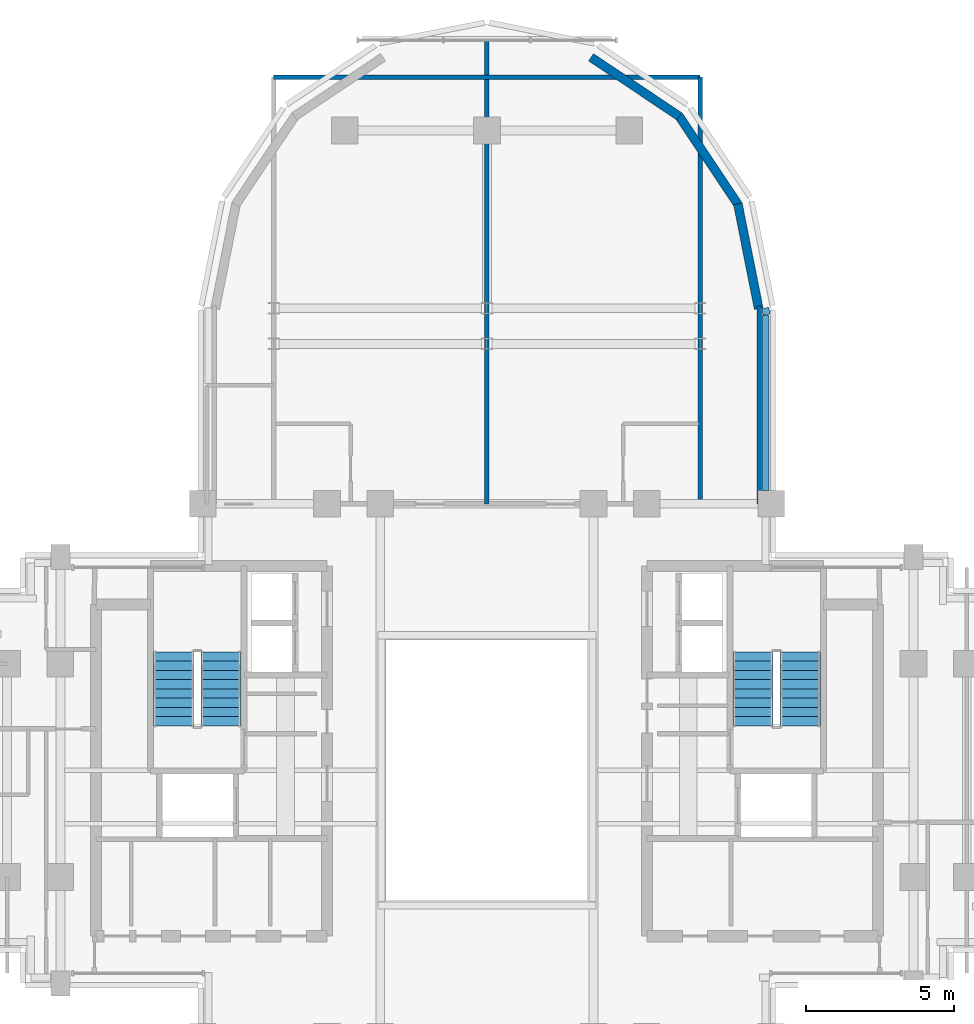
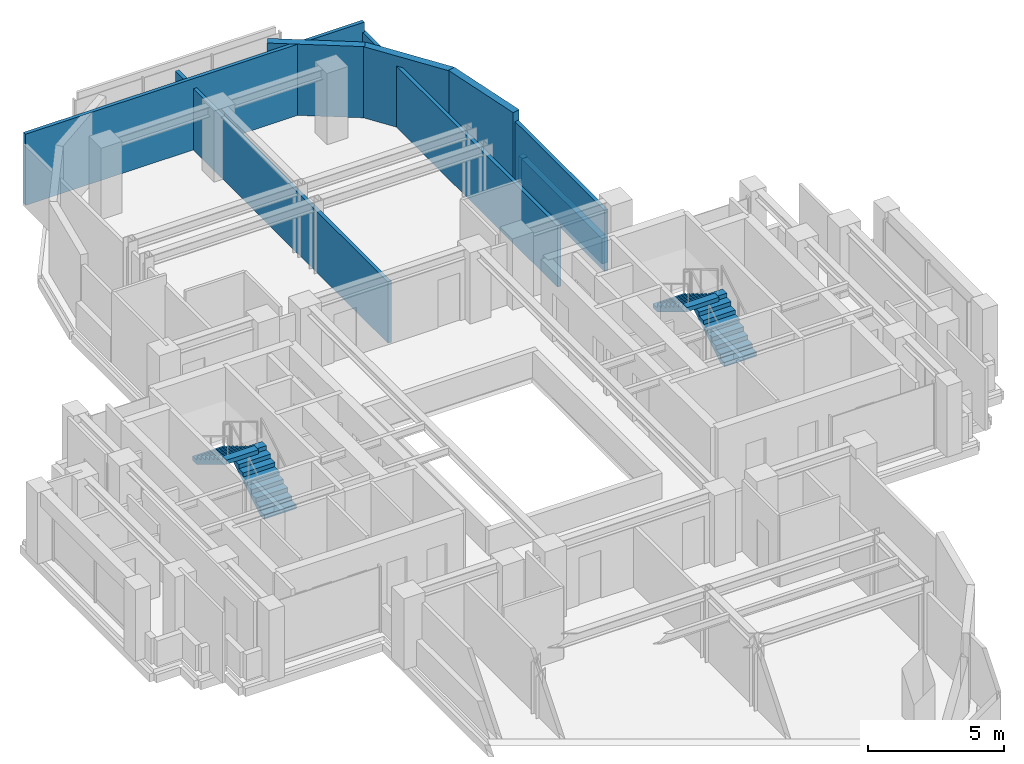
# One storey, part 9 of 12: 9 walls, 4 stair flights, 2 elements without a shape of their own.
"""IFC4 building model written with IfcOpenShell, lengths in metres."""

import ifcopenshell
import ifcopenshell.guid

model = None  # the IFC model being written
_history = None  # IfcOwnerHistory: only IFC2X3 demands one
_inside = {}  # id of a spatial element -> (the spatial element, [elements in it])
_under = {}  # id of a project, library or spatial element -> (it, [spatial elements below it])
_declared = {}  # id of a project -> (the project, [libraries it declares])
_typed = {}  # id of a type object -> (the type object, [elements of that type])
_made_of = {}  # id of a material, layer set ... -> (it, [elements and type objects made of it])


def new_model(schema):
    """Start an empty IFC model of exactly this schema.

    Asked for "IFC4X3", IfcOpenShell would pick the latest addendum, in which some entities
    have other attributes; the version numbers below select the first issue.
    IFC2X3 requires an IfcOwnerHistory on every rooted entity: one is made here for all.
    """
    global model, _history
    if schema == "IFC4X3":
        model = ifcopenshell.file(schema_version=(4, 3, 0, 0))
    else:
        model = ifcopenshell.file(schema=schema)
    _inside.clear()
    _under.clear()
    _declared.clear()
    _typed.clear()
    _made_of.clear()
    _history = None
    if model.schema == "IFC2X3":
        org = make("IfcOrganization", Name="unknown")
        user = make(
            "IfcPersonAndOrganization",
            ThePerson=make("IfcPerson", FamilyName="unknown"),
            TheOrganization=org,
        )
        app = make(
            "IfcApplication",
            ApplicationDeveloper=org,
            Version="unknown",
            ApplicationFullName="unknown",
            ApplicationIdentifier="unknown",
        )
        _history = make(
            "IfcOwnerHistory",
            OwningUser=user,
            OwningApplication=app,
            ChangeAction="ADDED",
            CreationDate=0,
        )
    return model


def make(cls, **values):
    """One entity of the class cls with the attributes given. An attribute that is None is left unset."""
    return model.create_entity(
        cls, **{name: value for name, value in values.items() if value is not None}
    )


def rooted(cls, **values):
    """An entity with a GlobalId (a new one), such as an element, a storey or a relation."""
    return make(cls, GlobalId=ifcopenshell.guid.new(), OwnerHistory=_history, **values)


def si_unit(unit_type, name, prefix=None):
    """IfcSIUnit, for example si_unit("LENGTHUNIT", "METRE", prefix="MILLI")."""
    return make("IfcSIUnit", UnitType=unit_type, Prefix=prefix, Name=name)


def assignment(units):
    """IfcUnitAssignment: the units of a project."""
    return None if units is None else make("IfcUnitAssignment", Units=units)


def point(xyz):
    """IfcCartesianPoint."""
    return None if xyz is None else make("IfcCartesianPoint", Coordinates=xyz)


def direction(xyz):
    """IfcDirection."""
    return None if xyz is None else make("IfcDirection", DirectionRatios=xyz)


def frame(location, z_axis=None, x_axis=None):
    """IfcAxis2Placement3D, a coordinate frame: its origin and axes. An axis left out is left unset."""
    return make(
        "IfcAxis2Placement3D",
        Location=point(location),
        Axis=direction(z_axis),
        RefDirection=direction(x_axis),
    )


def frame_2d(location, x_axis=None):
    """IfcAxis2Placement2D, a coordinate frame in the plane: its origin and x axis."""
    return make(
        "IfcAxis2Placement2D", Location=point(location), RefDirection=direction(x_axis)
    )


def origin():
    """The frame at (0, 0, 0) with its axes left unset."""
    return frame((0.0, 0.0, 0.0))


def place(relative_to, where):
    """IfcLocalPlacement: puts the frame where relative to a parent placement (None: the world)."""
    return make(
        "IfcLocalPlacement", PlacementRelTo=relative_to, RelativePlacement=where
    )


def context(
    kind, dimensions, precision=None, world=None, true_north=None, identifier=None
):
    """IfcGeometricRepresentationContext, for example the 3D "Model" context."""
    return make(
        "IfcGeometricRepresentationContext",
        ContextIdentifier=identifier,
        ContextType=kind,
        CoordinateSpaceDimension=dimensions,
        Precision=precision,
        WorldCoordinateSystem=world,
        TrueNorth=true_north,
    )


def subcontext(parent, identifier, kind, view, scale=None):
    """IfcGeometricRepresentationSubContext, for example "Body" below "Model"."""
    return make(
        "IfcGeometricRepresentationSubContext",
        ContextIdentifier=identifier,
        ContextType=kind,
        ParentContext=parent,
        TargetScale=scale,
        TargetView=view,
    )


def project(units=None, contexts=None):
    """IfcProject with its units and contexts."""
    return rooted(
        "IfcProject",
        Name="project",
        RepresentationContexts=contexts,
        UnitsInContext=assignment(units),
    )


def spatial(cls, under=None, at=None, **own):
    """A site, building, storey or space (cls), placed at a placement, below another one or the project."""
    s = rooted(cls, ObjectPlacement=at, **own)
    if under is not None:
        _under.setdefault(under.id(), (under, []))[1].append(s)
    return s


def polyline(points):
    """IfcPolyline through the points."""
    return make("IfcPolyline", Points=[point(p) for p in points])


def profile(cls, at=None, kind="AREA", **sizes):
    """A parametric profile (cls). Its sizes go by their IFC names, for example OverallWidth=200.0."""
    return make(cls, ProfileType=kind, Position=at, **sizes)


def rectangle(**sizes):
    """IfcRectangleProfileDef."""
    return profile("IfcRectangleProfileDef", **sizes)


def outline(outer, holes=None, kind="AREA"):
    """IfcArbitraryClosedProfileDef: a profile drawn as a closed curve; with holes, ...WithVoids."""
    if holes is None:
        return make("IfcArbitraryClosedProfileDef", ProfileType=kind, OuterCurve=outer)
    return make(
        "IfcArbitraryProfileDefWithVoids",
        ProfileType=kind,
        OuterCurve=outer,
        InnerCurves=holes,
    )


def extrude(swept, where, along, depth):
    """IfcExtrudedAreaSolid: the profile swept, set in the frame where, extruded along a direction by depth."""
    return make(
        "IfcExtrudedAreaSolid",
        SweptArea=swept,
        Position=where,
        ExtrudedDirection=direction(along),
        Depth=depth,
    )


def shape(context_of_items, identifier, shape_type, items):
    """IfcShapeRepresentation: the items that make up one representation, for example the "Body"."""
    return make(
        "IfcShapeRepresentation",
        ContextOfItems=context_of_items,
        RepresentationIdentifier=identifier,
        RepresentationType=shape_type,
        Items=items,
    )


def material(Name=None, Category=None):
    """IfcMaterial."""
    return make("IfcMaterial", Name=Name, Category=Category)


def layer(
    of_material, thickness, ventilated=None, Name=None, Category=None, Priority=None
):
    """IfcMaterialLayer: one layer of a wall or slab, of a material (None: an air gap)."""
    return make(
        "IfcMaterialLayer",
        Material=of_material,
        LayerThickness=thickness,
        IsVentilated=ventilated,
        Name=Name,
        Category=Category,
        Priority=Priority,
    )


def layer_set(layers, Name=None):
    """IfcMaterialLayerSet."""
    return make("IfcMaterialLayerSet", MaterialLayers=layers, LayerSetName=Name)


def made_of(thing, what):
    """Note that an element or type object is made of a material, layer set ...; save() writes the relation."""
    if what is not None:
        _made_of.setdefault(what.id(), (what, []))[1].append(thing)
    return thing


def type_object(cls, material=None, **own):
    """A type object (cls), such as IfcWallType, which elements share."""
    return made_of(rooted(cls, **own), material)


def element(
    cls,
    number,
    at=None,
    inside=None,
    cuts=None,
    type_object=None,
    material=None,
    context=None,
    identifier="Body",
    shape_type=None,
    held_by="IfcProductDefinitionShape",
    body=None,
    shapes=None,
    **own,
):
    """One element of the class cls, such as IfcWall. Its Tag is "e" and its number.

    at: its placement. inside: the storey or other place that contains it. cuts: it is an
    opening in that element (IfcRelVoidsElement). A single representation is given by context,
    identifier, shape_type and body (its items); several are given by shapes. held_by: the class
    of the entity that holds the representations. save() writes the other relations.
    """
    e = rooted(cls, Tag="e%d" % number, ObjectPlacement=at, **own)
    if body is not None:
        shapes = [shape(context, identifier, shape_type, body)]
    if shapes is not None:
        e.Representation = make(held_by, Representations=shapes)
    if inside is not None:
        _inside.setdefault(inside.id(), (inside, []))[1].append(e)
    if cuts is not None:
        rooted(
            "IfcRelVoidsElement", RelatingBuildingElement=cuts, RelatedOpeningElement=e
        )
    if type_object is not None:
        _typed.setdefault(type_object.id(), (type_object, []))[1].append(e)
    return made_of(e, material)


def aggregate(whole, parts):
    """IfcRelAggregates: a whole, such as a stair, and the parts it consists of."""
    return rooted("IfcRelAggregates", RelatingObject=whole, RelatedObjects=parts)


def save(model, path):
    """Write the relations noted so far, then the file.

    IfcRelAggregates (storeys below a building ...), IfcRelContainedInSpatialStructure (elements
    in a storey), IfcRelDefinesByType, IfcRelAssociatesMaterial and IfcRelDeclares: one each for
    every whole, place, type object, material and project.
    """
    for whole, parts in _under.values():
        aggregate(whole, parts)
    for where, things in _inside.values():
        rooted(
            "IfcRelContainedInSpatialStructure",
            RelatedElements=things,
            RelatingStructure=where,
        )
    for kind, things in _typed.values():
        rooted("IfcRelDefinesByType", RelatedObjects=things, RelatingType=kind)
    for what, things in _made_of.values():
        rooted("IfcRelAssociatesMaterial", RelatedObjects=things, RelatingMaterial=what)
    for by, libraries in _declared.values():
        rooted("IfcRelDeclares", RelatingContext=by, RelatedDefinitions=libraries)
    model.write(path)


model = new_model("IFC4")

# Units and contexts
model_context = context("Model", 3, precision=1e-05, world=origin(), true_north=direction((0.0, 1.0)))
body_context = subcontext(model_context, "Body", "Model", "MODEL_VIEW")
ifc_project = project(units=[si_unit("LENGTHUNIT", "METRE"), si_unit("AREAUNIT", "SQUARE_METRE"), si_unit("VOLUMEUNIT", "CUBIC_METRE"), si_unit("PLANEANGLEUNIT", "RADIAN"), si_unit("MASSUNIT", "GRAM", prefix="KILO")], contexts=[model_context])

# Site, building, storey
site_placement = place(None, origin())
site = spatial("IfcSite", under=ifc_project, at=site_placement, CompositionType="ELEMENT")
building_placement = place(site_placement, origin())
building = spatial("IfcBuilding", under=site, at=building_placement, Name="Keilestroom Media Tower", CompositionType="ELEMENT")
storey_placement = place(building_placement, frame((0.0, 0.0, 187.60009765625)))
storey = spatial("IfcBuildingStorey", under=building, at=storey_placement, Name="L51", CompositionType="ELEMENT", Elevation=187.60009765625)

# Walls
ifc_material_1 = material(Name="Precast concrete C40/50", Category="concrete")
ifc_layer_1 = layer(ifc_material_1, 0.300048828125)
ifc_layer_set_1 = layer_set([ifc_layer_1], Name="Precast concrete C40/50")
wall_type_1 = type_object("IfcWallType", Name="Exterior-Masonry-Spandrel-Wall-300", PredefinedType="SOLIDWALL", material=ifc_layer_set_1)
for number, where, z_axis, x_axis, name in (
    (1, (9.1748046875, 15.585205078125, 0.0), (0.0, 0.0, 1.0), (-0.195114232679, 0.980780523974, 0.0), "L51 Lobe Facet Precast Frame Wall 01"),
    (2, (8.48193359375, 19.097412109375, 0.0), (0.0, 0.0, 1.0), (-0.555574187116, 0.831466970246, 0.0), "L51 Lobe Facet Precast Frame Wall 02"),
):
    element("IfcWall", number, at=place(storey_placement, frame(where, z_axis=z_axis, x_axis=x_axis)), inside=storey, type_object=wall_type_1, Name=name, PredefinedType="SOLIDWALL", context=body_context, shape_type="SweptSolid", body=[
        extrude(rectangle(XDim=3.608642578125, YDim=0.300048828125, at=frame_2d((1.80419921875, 0.0))), origin(), (0.0, 0.0, 1.0), 3.199951171875),
    ])
wall_1_placement = place(storey_placement, frame((6.497802734375, 22.0771484375, 0.0), z_axis=(0.0, 0.0, 1.0), x_axis=(-0.8314749531, 0.555562239868, 0.0)))
element("IfcWall", 3, at=wall_1_placement, inside=storey, type_object=wall_type_1, Name="L51 Lobe Facet Precast Frame Wall 03", PredefinedType="SOLIDWALL", context=body_context, shape_type="SweptSolid", body=[
    extrude(rectangle(XDim=3.59326171875, YDim=0.300048828125, at=frame_2d((1.796630859375, 0.0))), origin(), (0.0, 0.0, 1.0), 3.199951171875),
])
ifc_material_2 = material(Name="Gypsum Plasterboard & Steel Stud", Category="steel")
ifc_layer_2 = layer(ifc_material_2, 0.14990234375)
ifc_layer_set_2 = layer_set([ifc_layer_2], Name="Gypsum Plasterboard & Steel Stud")
wall_type_2 = type_object("IfcWallType", Name="Interior-Partition-Wall-150", PredefinedType="PARTITIONING", material=ifc_layer_set_2)
wall_2_placement = place(storey_placement, frame((9.199951171875, 9.0, 0.0), z_axis=(0.0, 0.0, 1.0), x_axis=(0.0, 1.0, 0.0)))
element("IfcWall", 4, at=wall_2_placement, inside=storey, type_object=wall_type_2, Name="L51 Interior Wall WP-L51-NL-CHKE", PredefinedType="PARTITIONING", context=body_context, shape_type="SweptSolid", body=[
    extrude(rectangle(XDim=6.679931640625, YDim=0.14990234375, at=frame_2d((3.33984375, 0.0))), origin(), (0.0, 0.0, 1.0), 2.75),
])
wall_3_placement = place(storey_placement, frame((0.0, 9.0, 0.0), z_axis=(0.0, 0.0, 1.0), x_axis=(0.0, 1.0, 0.0)))
element("IfcWall", 5, at=wall_3_placement, inside=storey, type_object=wall_type_2, Name="L51 Interior Wall WP-L51-H306-NV-0", PredefinedType="PARTITIONING", context=body_context, shape_type="SweptSolid", body=[
    extrude(rectangle(XDim=15.64990234375, YDim=0.14990234375, at=frame_2d((7.824951171875, 0.0))), origin(), (0.0, 0.0, 1.0), 2.75),
])
wall_4_placement = place(storey_placement, frame((7.199951171875, 9.0, 0.0), z_axis=(0.0, 0.0, 1.0), x_axis=(0.0, 1.0, 0.0)))
element("IfcWall", 6, at=wall_4_placement, inside=storey, type_object=wall_type_2, Name="L51 Interior Wall WP-L51-H306-NV-72", PredefinedType="PARTITIONING", context=body_context, shape_type="SweptSolid", body=[
    extrude(rectangle(XDim=14.39990234375, YDim=0.14990234375, at=frame_2d((7.199951171875, 0.0))), origin(), (0.0, 0.0, 1.0), 2.75),
])
wall_5_placement = place(storey_placement, frame((-7.199951171875, 23.39990234375, 0.0), z_axis=(0.0, 0.0, 1.0), x_axis=(1.0, 0.0, 0.0)))
element("IfcWall", 7, at=wall_5_placement, inside=storey, type_object=wall_type_2, Name="L51 Interior Wall WP-L51-H306-NTIP", PredefinedType="PARTITIONING", context=body_context, shape_type="SweptSolid", body=[
    extrude(rectangle(XDim=14.39990234375, YDim=0.14990234375, at=frame_2d((7.199951171875, 0.0))), origin(), (0.0, 0.0, 1.0), 3.199951171875),
])
ifc_layer_3 = layer(ifc_material_1, 0.239990234375)
ifc_layer_set_3 = layer_set([ifc_layer_3], Name="Precast concrete C40/50")
wall_type_3 = type_object("IfcWallType", Name="Roof-And-Terrace-Parapet-Wall-240", PredefinedType="PARAPET", material=ifc_layer_set_3)
wall_6_placement = place(storey_placement, frame((9.395263671875, 15.604248046875, 0.0), z_axis=(0.0, 0.0, 1.0), x_axis=(0.194652052864, -0.980872355771, 0.0)))
element("IfcWall", 8, at=wall_6_placement, inside=storey, type_object=wall_type_3, Name="L51 Perimeter Edge Parapet Wall 28", PredefinedType="PARAPET", context=body_context, shape_type="SweptSolid", body=[
    extrude(rectangle(XDim=0.224609375, YDim=0.239990234375, at=frame_2d((0.1123046875, 0.0))), origin(), (0.0, 0.0, 1.0), 1.14990234375),
])
wall_7_placement = place(storey_placement, frame((9.39990234375, 15.357666015625, 0.0), z_axis=(0.0, 0.0, 1.0), x_axis=(0.0, -1.0, 0.0)))
element("IfcWall", 9, at=wall_7_placement, inside=storey, type_object=wall_type_3, Name="L51 Perimeter Edge Parapet Wall 29", PredefinedType="PARAPET", context=body_context, shape_type="SweptSolid", body=[
    extrude(rectangle(XDim=5.90478515625, YDim=0.239990234375, at=frame_2d((2.952392578125, 0.0))), origin(), (0.0, 0.0, 1.0), 1.14990234375),
])

# Stair, stair flights
ifc_material_3 = material(Name="Concrete C45/55", Category="concrete")
stair_type = type_object("IfcStairType", Name="Enclosed-Dog-Leg-Stair-ST-CORE", PredefinedType="HALF_TURN_STAIR", material=ifc_material_3)
stair_1_placement = place(storey_placement, origin())
stair_1 = element("IfcStair", 10, at=stair_1_placement, inside=storey, type_object=stair_type, Name="L51 West Core Escape Stair ST-1", PredefinedType="HALF_TURN_STAIR")
stair_flight_type = type_object("IfcStairFlightType", Name="Precast-Concrete-Stair-Flight-Core-160", PredefinedType="STRAIGHT", material=ifc_material_1)
stair_flight_1_placement = place(storey_placement, frame((-8.97998046875, 1.5, 0.0), z_axis=(0.0, 0.0, 1.0), x_axis=(0.0, 1.0, 0.0)))
stair_flight_1 = element("IfcStairFlight", 11, at=stair_flight_1_placement, type_object=stair_flight_type, Name="ST-1 flight 1", NumberOfRisers=9, NumberOfTreads=8, PredefinedType="STRAIGHT", RiserHeight=0.188888889, TreadLength=0.312, context=body_context, shape_type="SweptSolid", body=[
    extrude(outline(polyline([(0.0, 0.0), (0.0, 0.18896484375), (0.31201171875, 0.18896484375), (0.31201171875, 0.377685546875), (0.6240234375, 0.377685546875), (0.6240234375, 0.566650390625), (0.93603515625, 0.566650390625), (0.93603515625, 0.755615234375), (1.248046875, 0.755615234375), (1.248046875, 0.9443359375), (1.56005859375, 0.9443359375), (1.56005859375, 1.13330078125), (1.8720703125, 1.13330078125), (1.8720703125, 1.322265625), (2.18408203125, 1.322265625), (2.18408203125, 1.51123046875), (2.49609375, 1.51123046875), (2.49609375, 1.699951171875), (2.49609375, 1.32421875), (0.308837890625, 0.0), (0.0, 0.0)])), frame((0.0, 0.68017578125, 0.0), z_axis=(0.0, -1.0, 0.0), x_axis=(1.0, 0.0, 0.0)), (0.0, 0.0, 1.0), 1.360107421875),
])
stair_flight_2_placement = place(storey_placement, frame((-10.580078125, 3.99609375, 1.699951171875), z_axis=(0.0, 0.0, 1.0), x_axis=(0.0, -1.0, 0.0)))
stair_flight_2 = element("IfcStairFlight", 12, at=stair_flight_2_placement, type_object=stair_flight_type, Name="ST-1 flight 2", NumberOfRisers=9, NumberOfTreads=8, PredefinedType="STRAIGHT", RiserHeight=0.188888889, TreadLength=0.312, context=body_context, shape_type="SweptSolid", body=[
    extrude(outline(polyline([(0.0, 0.0), (0.0, 0.18896484375), (0.31201171875, 0.18896484375), (0.31201171875, 0.377685546875), (0.6240234375, 0.377685546875), (0.6240234375, 0.566650390625), (0.93603515625, 0.566650390625), (0.93603515625, 0.755615234375), (1.248046875, 0.755615234375), (1.248046875, 0.9443359375), (1.56005859375, 0.9443359375), (1.56005859375, 1.13330078125), (1.8720703125, 1.13330078125), (1.8720703125, 1.322265625), (2.18408203125, 1.322265625), (2.18408203125, 1.51123046875), (2.49609375, 1.51123046875), (2.49609375, 1.699951171875), (2.49609375, 1.32421875), (0.308837890625, 0.0), (0.0, 0.0)])), frame((0.0, 0.68017578125, 0.0), z_axis=(0.0, -1.0, 0.0), x_axis=(1.0, 0.0, 0.0)), (0.0, 0.0, 1.0), 1.360107421875),
])
aggregate(stair_1, [stair_flight_1, stair_flight_2])

stair_2_placement = place(storey_placement, origin())
stair_2 = element("IfcStair", 13, at=stair_2_placement, inside=storey, type_object=stair_type, Name="L51 East Core Escape Stair ST-2", PredefinedType="HALF_TURN_STAIR")
stair_flight_3_placement = place(storey_placement, frame((10.580078125, 1.5, 0.0), z_axis=(0.0, 0.0, 1.0), x_axis=(0.0, 1.0, 0.0)))
stair_flight_3 = element("IfcStairFlight", 14, at=stair_flight_3_placement, type_object=stair_flight_type, Name="ST-2 flight 1", NumberOfRisers=9, NumberOfTreads=8, PredefinedType="STRAIGHT", RiserHeight=0.188888889, TreadLength=0.312, context=body_context, shape_type="SweptSolid", body=[
    extrude(outline(polyline([(0.0, 0.0), (0.0, 0.18896484375), (0.31201171875, 0.18896484375), (0.31201171875, 0.377685546875), (0.6240234375, 0.377685546875), (0.6240234375, 0.566650390625), (0.93603515625, 0.566650390625), (0.93603515625, 0.755615234375), (1.248046875, 0.755615234375), (1.248046875, 0.9443359375), (1.56005859375, 0.9443359375), (1.56005859375, 1.13330078125), (1.8720703125, 1.13330078125), (1.8720703125, 1.322265625), (2.18408203125, 1.322265625), (2.18408203125, 1.51123046875), (2.49609375, 1.51123046875), (2.49609375, 1.699951171875), (2.49609375, 1.32421875), (0.308837890625, 0.0), (0.0, 0.0)])), frame((0.0, 0.68017578125, 0.0), z_axis=(0.0, -1.0, 0.0), x_axis=(1.0, 0.0, 0.0)), (0.0, 0.0, 1.0), 1.360107421875),
])
stair_flight_4_placement = place(storey_placement, frame((8.97998046875, 3.99609375, 1.699951171875), z_axis=(0.0, 0.0, 1.0), x_axis=(0.0, -1.0, 0.0)))
stair_flight_4 = element("IfcStairFlight", 15, at=stair_flight_4_placement, type_object=stair_flight_type, Name="ST-2 flight 2", NumberOfRisers=9, NumberOfTreads=8, PredefinedType="STRAIGHT", RiserHeight=0.188888889, TreadLength=0.312, context=body_context, shape_type="SweptSolid", body=[
    extrude(outline(polyline([(0.0, 0.0), (0.0, 0.18896484375), (0.31201171875, 0.18896484375), (0.31201171875, 0.377685546875), (0.6240234375, 0.377685546875), (0.6240234375, 0.566650390625), (0.93603515625, 0.566650390625), (0.93603515625, 0.755615234375), (1.248046875, 0.755615234375), (1.248046875, 0.9443359375), (1.56005859375, 0.9443359375), (1.56005859375, 1.13330078125), (1.8720703125, 1.13330078125), (1.8720703125, 1.322265625), (2.18408203125, 1.322265625), (2.18408203125, 1.51123046875), (2.49609375, 1.51123046875), (2.49609375, 1.699951171875), (2.49609375, 1.32421875), (0.308837890625, 0.0), (0.0, 0.0)])), frame((0.0, 0.68017578125, 0.0), z_axis=(0.0, -1.0, 0.0), x_axis=(1.0, 0.0, 0.0)), (0.0, 0.0, 1.0), 1.360107421875),
])
aggregate(stair_2, [stair_flight_3, stair_flight_4])

save(model, "model.ifc")
